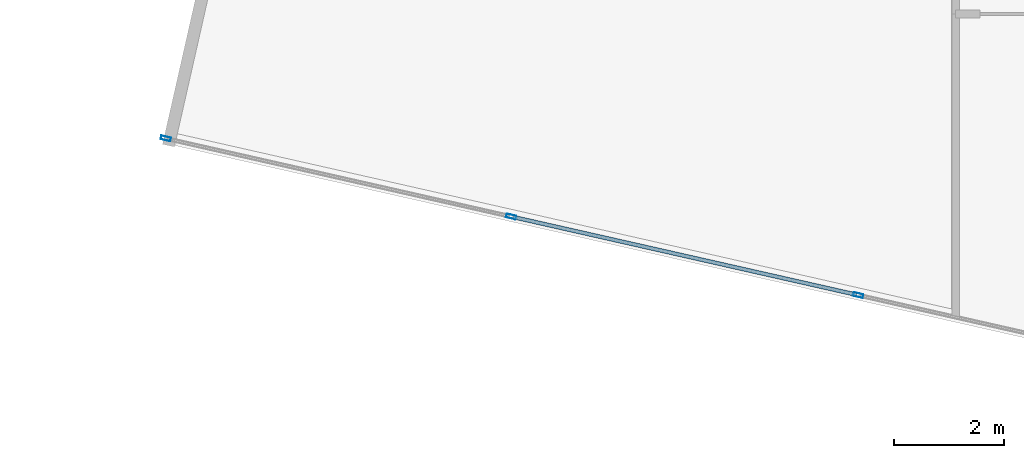
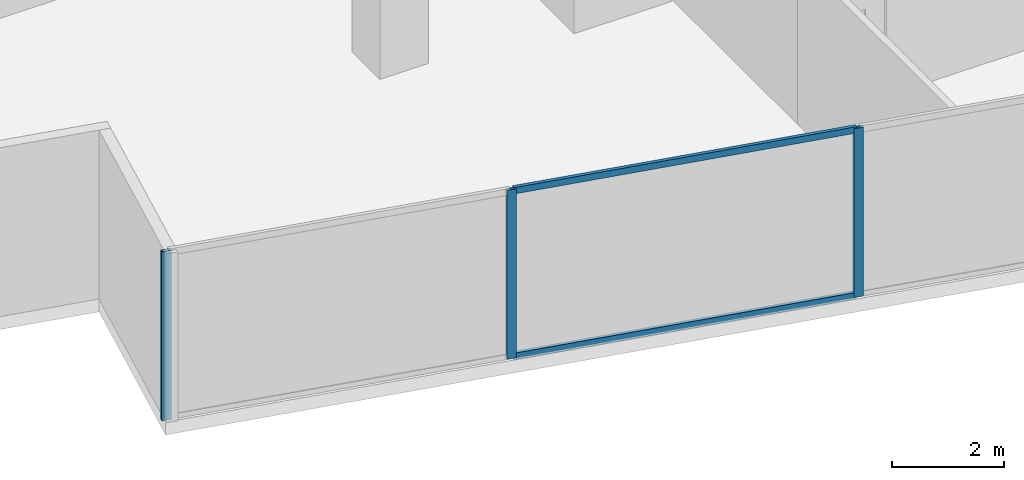
# One storey, part 2 of 27: 5 members, 1 element without a shape of its own.
"""IFC4 building model written with IfcOpenShell, lengths in metres."""

from ifc_helpers import new_model, si_unit, direction, frame, origin, origin_2d, place, context, subcontext, project, spatial, hollow_rectangle, extrude, source, transform, mapped, material, material_profile, profile_set, type_object, type_shapes, element, aggregate, save


model = new_model("IFC4")

# Units and contexts
model_context = context("Model", 3, precision=1e-05, world=origin(), true_north=direction((0.0, 1.0)))
body_context = subcontext(model_context, "Body", "Model", "MODEL_VIEW")
ifc_project = project(units=[si_unit("LENGTHUNIT", "METRE"), si_unit("AREAUNIT", "SQUARE_METRE"), si_unit("VOLUMEUNIT", "CUBIC_METRE"), si_unit("PLANEANGLEUNIT", "RADIAN"), si_unit("MASSUNIT", "GRAM", prefix="KILO")], contexts=[model_context])

# Site, building, storey
site_placement = place(None, origin())
site = spatial("IfcSite", under=ifc_project, at=site_placement, CompositionType="ELEMENT")
building_placement = place(site_placement, origin())
building = spatial("IfcBuilding", under=site, at=building_placement, Name="Krantzveldt Concourse Tower", CompositionType="ELEMENT")
storey_placement = place(building_placement, frame((0.0, 0.0, 86.10009765625)))
storey = spatial("IfcBuildingStorey", under=building, at=storey_placement, Name="L20", CompositionType="ELEMENT", Elevation=86.10009765625)

# Curtain wall, members
ifc_material = material(Name="Anodised aluminium 6063-T6", Category="aluminium")
curtain_wall_type = type_object("IfcCurtainWallType", Name="CW2", PredefinedType="USERDEFINED", material=ifc_material)
curtain_wall_placement = place(storey_placement, origin())
curtain_wall = element("IfcCurtainWall", 1, at=curtain_wall_placement, inside=storey, type_object=curtain_wall_type, Name="CW-L20-F04", ObjectType="UNITISED CURTAIN WALL", PredefinedType="USERDEFINED")
ifc_material_profile_1 = material_profile(ifc_material, hollow_rectangle(XDim=0.070068359375, YDim=0.179931640625, WallThickness=0.0048828125, at=origin_2d()), Name="Anodised aluminium 6063-T6", Category="aluminium")
ifc_profile_set_1 = profile_set([ifc_material_profile_1], Name="Anodised aluminium 6063-T6 - ALU-MULL 180x70x5")
member_type_1 = type_object("IfcMemberType", Name="CW-MUL-180", PredefinedType="MULLION", material=ifc_profile_set_1)
shared_shape_1 = source(origin(), body_context, "Body", "SweptSolid", [
    extrude(hollow_rectangle(XDim=0.070068359375, YDim=0.179931640625, WallThickness=0.0048828125, at=origin_2d()), origin(), (0.0, 0.0, 1.0), 3.669921875),
])
type_shapes(member_type_1, [shared_shape_1])
member_1_placement = place(storey_placement, frame((11.968017578125, 8.238525390625, 0.0), z_axis=(0.0, 0.0, 1.0), x_axis=(0.220697434579, 0.975342320609, 0.0)))
member_1 = element("IfcMember", 2, at=member_1_placement, type_object=member_type_1, Name="CW-Z12 mullion 1", PredefinedType="MULLION", context=body_context, shape_type="MappedRepresentation", body=[
    mapped(shared_shape_1, transform((0.0, 0.0, 0.0), x_axis=(1.0, 0.0, 0.0), y_axis=(0.0, 1.0, 0.0), z_axis=(0.0, 0.0, 1.0), scale=1.0)),
])
member_2_placement = place(storey_placement, frame((18.2412109375, 6.819091796875, 0.0), z_axis=(0.0, 0.0, 1.0), x_axis=(0.220697434579, 0.975342320609, 0.0)))
member_2 = element("IfcMember", 3, at=member_2_placement, type_object=member_type_1, Name="CW-Z12 mullion 2", PredefinedType="MULLION", context=body_context, shape_type="MappedRepresentation", body=[
    mapped(shared_shape_1, transform((0.0, 0.0, 0.0), x_axis=(1.0, 0.0, 0.0), y_axis=(0.0, 1.0, 0.0), z_axis=(0.0, 0.0, 1.0), scale=1.0)),
])
member_3_placement = place(storey_placement, frame((24.54833984375, 5.391845703125, 0.0), z_axis=(0.0, 0.0, 1.0), x_axis=(0.220697434579, 0.975342320609, 0.0)))
member_3 = element("IfcMember", 4, at=member_3_placement, type_object=member_type_1, Name="CW-Z12 mullion 3", PredefinedType="MULLION", context=body_context, shape_type="MappedRepresentation", body=[
    mapped(shared_shape_1, transform((0.0, 0.0, 0.0), x_axis=(1.0, 0.0, 0.0), y_axis=(0.0, 1.0, 0.0), z_axis=(0.0, 0.0, 1.0), scale=1.0)),
])
ifc_material_profile_2 = material_profile(ifc_material, hollow_rectangle(XDim=0.070068359375, YDim=0.139892578125, WallThickness=0.0048828125, at=origin_2d()), Name="Anodised aluminium 6063-T6", Category="aluminium")
ifc_profile_set_2 = profile_set([ifc_material_profile_2], Name="Anodised aluminium 6063-T6 - ALU-TRAN 140x70x5")
member_type_2 = type_object("IfcMemberType", Name="CW-TRN-150", PredefinedType="USERDEFINED", material=ifc_profile_set_2)
shared_shape_2 = source(origin(), body_context, "Body", "SweptSolid", [
    extrude(hollow_rectangle(XDim=0.070068359375, YDim=0.139892578125, WallThickness=0.0048828125, at=origin_2d()), origin(), (0.0, 0.0, 1.0), 6.396728515625),
])
type_shapes(member_type_2, [shared_shape_2])
member_4_placement = place(storey_placement, frame((18.275146484375, 6.811279296875, 0.034912109375), z_axis=(0.975346478519, -0.220679058454, 0.0), x_axis=(0.220679058454, 0.975346478519, 0.0)))
member_4 = element("IfcMember", 5, at=member_4_placement, type_object=member_type_2, Name="CW-Z12 transom 2.1", ObjectType="TRANSOM", PredefinedType="USERDEFINED", context=body_context, shape_type="MappedRepresentation", body=[
    mapped(shared_shape_2, transform((0.0, 0.0, 0.0), x_axis=(1.0, 0.0, 0.0), y_axis=(0.0, 1.0, 0.0), z_axis=(0.0, 0.0, 1.0), scale=1.0)),
])
member_5_placement = place(storey_placement, frame((18.275146484375, 6.811279296875, 3.635009765625), z_axis=(0.975346478519, -0.220679058454, 0.0), x_axis=(0.220679058454, 0.975346478519, 0.0)))
member_5 = element("IfcMember", 6, at=member_5_placement, type_object=member_type_2, Name="CW-Z12 transom 2.2", ObjectType="TRANSOM", PredefinedType="USERDEFINED", context=body_context, shape_type="MappedRepresentation", body=[
    mapped(shared_shape_2, transform((0.0, 0.0, 0.0), x_axis=(1.0, 0.0, 0.0), y_axis=(0.0, 1.0, 0.0), z_axis=(0.0, 0.0, 1.0), scale=1.0)),
])
aggregate(curtain_wall, [member_1, member_2, member_3, member_4, member_5])

save(model, "model.ifc")
